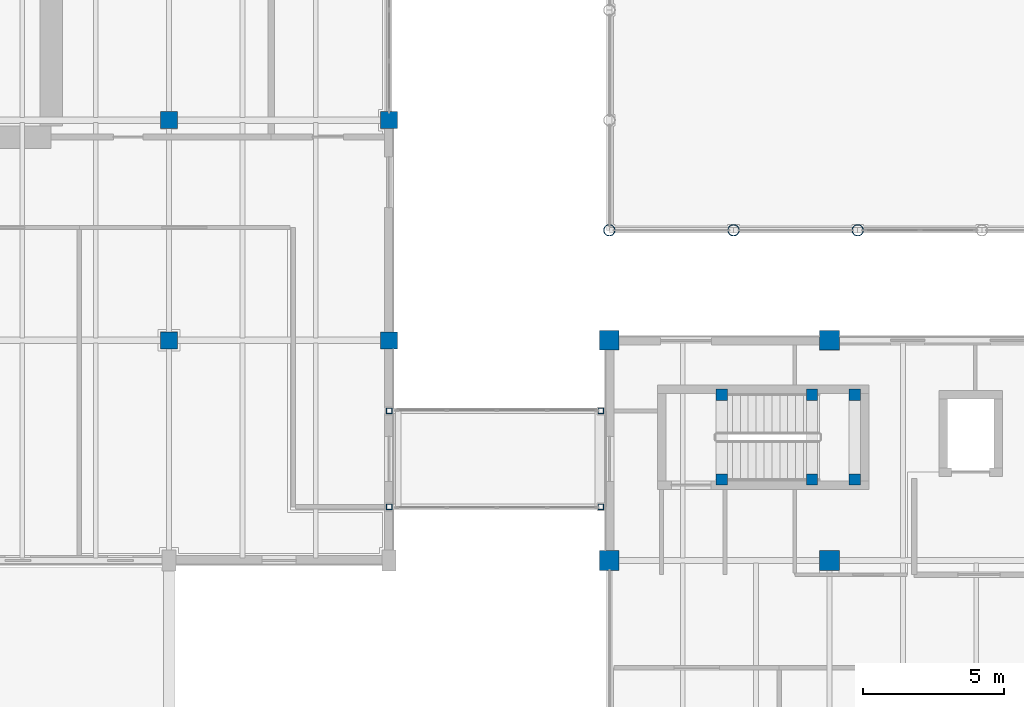
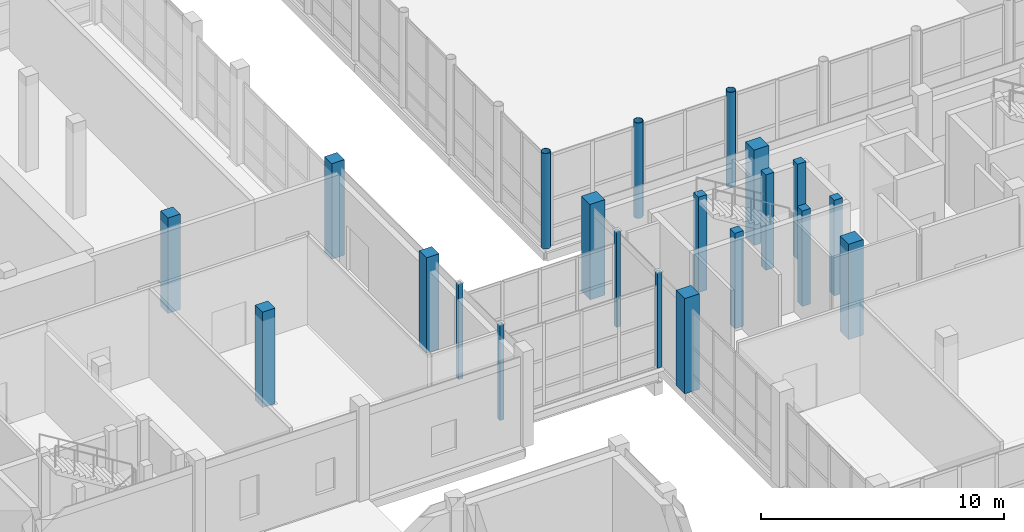
# One storey, part 6 of 131: 21 columns.
"""IFC4 building model written with IfcOpenShell, lengths in metres."""

from ifc_helpers import new_model, si_unit, direction, frame, origin, origin_2d, place, context, subcontext, project, spatial, rectangle, hollow_rectangle, hollow_circle, extrude, material, material_profile, profile_set, type_object, element, save


model = new_model("IFC4")

# Units and contexts
model_context = context("Model", 3, precision=1e-05, world=origin(), true_north=direction((0.0, 1.0)))
body_context = subcontext(model_context, "Body", "Model", "MODEL_VIEW")
ifc_project = project(units=[si_unit("LENGTHUNIT", "METRE"), si_unit("AREAUNIT", "SQUARE_METRE"), si_unit("VOLUMEUNIT", "CUBIC_METRE"), si_unit("PLANEANGLEUNIT", "RADIAN"), si_unit("MASSUNIT", "GRAM", prefix="KILO")], contexts=[model_context])

# Site, building, storey
site_placement = place(None, origin())
site = spatial("IfcSite", under=ifc_project, at=site_placement, CompositionType="ELEMENT")
building_placement = place(site_placement, origin())
building = spatial("IfcBuilding", under=site, at=building_placement, Name="Celorna Specialist Clinic", CompositionType="ELEMENT")
storey_placement = place(building_placement, origin())
storey = spatial("IfcBuildingStorey", under=building, at=storey_placement, Name="L00", CompositionType="ELEMENT", Elevation=0.0)

# Columns
ifc_material_1 = material(Name="Concrete C40/50", Category="concrete")
ifc_material_profile_1 = material_profile(ifc_material_1, rectangle(XDim=0.699951171875, YDim=0.699951171875, at=origin_2d()), Name="RC 700x700")
ifc_profile_set_1 = profile_set([ifc_material_profile_1], Name="Concrete C40/50")
column_type_1 = type_object("IfcColumnType", Name="CT-02", PredefinedType="COLUMN", material=ifc_profile_set_1)
for number, where, z_axis, x_axis, name in (
    (1, (54.60009765625, 35.10009765625, 0.0), (0.0, 0.0, 1.0), (1.0, 0.0, 0.0), "Column CT-02 L00 X08/YG"),
    (2, (54.60009765625, 42.89990234375, 0.0), (0.0, 0.0, 1.0), (1.0, 0.0, 0.0), "Column CT-02 L00 X08/YH"),
    (3, (62.39990234375, 35.10009765625, 0.0), (0.0, 0.0, 1.0), (1.0, 0.0, 0.0), "Column CT-02 L00 X09/YG"),
    (4, (62.39990234375, 42.89990234375, 0.0), (0.0, 0.0, 1.0), (1.0, 0.0, 0.0), "Column CT-02 L00 X09/YH"),
):
    element("IfcColumn", number, at=place(storey_placement, frame(where, z_axis=z_axis, x_axis=x_axis)), inside=storey, type_object=column_type_1, Name=name, PredefinedType="COLUMN", context=body_context, shape_type="SweptSolid", body=[
        extrude(rectangle(XDim=0.699951171875, YDim=0.699951171875, at=origin_2d()), origin(), (0.0, 0.0, 1.0), 4.800048828125),
    ])
ifc_material_profile_2 = material_profile(ifc_material_1, rectangle(XDim=0.60009765625, YDim=0.60009765625, at=origin_2d()), Name="RC 600x600")
ifc_profile_set_2 = profile_set([ifc_material_profile_2], Name="Concrete C40/50")
column_type_2 = type_object("IfcColumnType", Name="CT-04", PredefinedType="COLUMN", material=ifc_profile_set_2)
for number, where, z_axis, x_axis, name in (
    (5, (39.0, 42.89990234375, 0.0), (0.0, 0.0, 1.0), (1.0, 0.0, 0.0), "Column CT-04 L00 X06/YH"),
    (6, (39.0, 50.699951171875, 0.0), (0.0, 0.0, 1.0), (1.0, 0.0, 0.0), "Column CT-04 L00 X06/YK"),
    (7, (46.800048828125, 42.89990234375, 0.0), (0.0, 0.0, 1.0), (1.0, 0.0, 0.0), "Column CT-04 L00 X07/YH"),
    (8, (46.800048828125, 50.699951171875, 0.0), (0.0, 0.0, 1.0), (1.0, 0.0, 0.0), "Column CT-04 L00 X07/YK"),
):
    element("IfcColumn", number, at=place(storey_placement, frame(where, z_axis=z_axis, x_axis=x_axis)), inside=storey, type_object=column_type_2, Name=name, PredefinedType="COLUMN", context=body_context, shape_type="SweptSolid", body=[
        extrude(rectangle(XDim=0.60009765625, YDim=0.60009765625, at=origin_2d()), origin(), (0.0, 0.0, 1.0), 4.800048828125),
    ])
ifc_material_2 = material(Name="Concrete C35/45", Category="concrete")
ifc_material_profile_3 = material_profile(ifc_material_2, rectangle(XDim=0.39990234375, YDim=0.39990234375, at=origin_2d()), Name="RC 400x400")
ifc_profile_set_3 = profile_set([ifc_material_profile_3], Name="Concrete C35/45")
column_type_3 = type_object("IfcColumnType", Name="CT-08", PredefinedType="COLUMN", material=ifc_profile_set_3)
for number, where, z_axis, x_axis, name in (
    (9, (58.580078125, 37.969970703125, 0.0), (0.0, 0.0, 1.0), (1.0, 0.0, 0.0), "Stair ST-08 landing column CT-08 L00 X09/YG"),
    (10, (58.580078125, 40.969970703125, 0.0), (0.0, 0.0, 1.0), (1.0, 0.0, 0.0), "Stair ST-08 landing column CT-08 L00 X09/YH"),
    (11, (61.780029296875, 37.969970703125, 0.0), (0.0, 0.0, 1.0), (1.0, 0.0, 0.0), "Stair ST-08 landing column CT-08 L00 X09/YG"),
    (12, (61.780029296875, 40.969970703125, 0.0), (0.0, 0.0, 1.0), (1.0, 0.0, 0.0), "Stair ST-08 landing column CT-08 L00 X09/YH"),
    (13, (63.300048828125, 37.969970703125, 0.0), (0.0, 0.0, 1.0), (1.0, 0.0, 0.0), "Stair ST-08 landing column CT-08 L00 X09/YG"),
    (14, (63.300048828125, 40.969970703125, 0.0), (0.0, 0.0, 1.0), (1.0, 0.0, 0.0), "Stair ST-08 landing column CT-08 L00 X09/YH"),
):
    element("IfcColumn", number, at=place(storey_placement, frame(where, z_axis=z_axis, x_axis=x_axis)), inside=storey, type_object=column_type_3, Name=name, PredefinedType="COLUMN", context=body_context, shape_type="SweptSolid", body=[
        extrude(rectangle(XDim=0.39990234375, YDim=0.39990234375, at=origin_2d()), origin(), (0.0, 0.0, 1.0), 4.800048828125),
    ])
ifc_material_3 = material(Name="Steel S355", Category="steel")
ifc_material_profile_4 = material_profile(ifc_material_3, hollow_circle(Radius=0.203125, WallThickness=0.01611328125, at=origin_2d()), Name="CHS 406.4x16")
ifc_profile_set_4 = profile_set([ifc_material_profile_4], Name="Steel S355")
column_type_4 = type_object("IfcColumnType", Name="CT-12", PredefinedType="COLUMN", material=ifc_profile_set_4)
for number, where, z_axis, x_axis, name in (
    (15, (54.60009765625, 46.800048828125, 0.0), (0.0, 0.0, 1.0), (1.0, 0.0, 0.0), "Column CT-12 L00 X08/YJ"),
    (16, (59.0, 46.800048828125, 0.0), (0.0, 0.0, 1.0), (1.0, 0.0, 0.0), "Column CT-12 L00 X09/YJ"),
    (17, (63.39990234375, 46.800048828125, 0.0), (0.0, 0.0, 1.0), (1.0, 0.0, 0.0), "Column CT-12 L00 X09/YJ"),
):
    element("IfcColumn", number, at=place(storey_placement, frame(where, z_axis=z_axis, x_axis=x_axis)), inside=storey, type_object=column_type_4, Name=name, PredefinedType="COLUMN", context=body_context, shape_type="SweptSolid", body=[
        extrude(hollow_circle(Radius=0.203125, WallThickness=0.01611328125, at=origin_2d()), origin(), (0.0, 0.0, 1.0), 4.800048828125),
    ])
ifc_material_profile_5 = material_profile(ifc_material_3, hollow_rectangle(XDim=0.199951171875, YDim=0.199951171875, WallThickness=0.010009765625, at=origin_2d()), Name="SHS 200x200x10")
ifc_profile_set_5 = profile_set([ifc_material_profile_5], Name="Steel S355")
column_type_5 = type_object("IfcColumnType", Name="CT-15", PredefinedType="COLUMN", material=ifc_profile_set_5)
for number, where, z_axis, x_axis, name in (
    (18, (46.800048828125, 37.0, 0.0), (0.0, 0.0, 1.0), (1.0, 0.0, 0.0), "Column CT-15 L00 X07/YG"),
    (19, (54.300048828125, 37.0, 0.0), (0.0, 0.0, 1.0), (1.0, 0.0, 0.0), "Column CT-15 L00 X08/YG"),
    (20, (46.800048828125, 40.39990234375, 0.0), (0.0, 0.0, 1.0), (1.0, 0.0, 0.0), "Column CT-15 L00 X07/YH"),
    (21, (54.300048828125, 40.39990234375, 0.0), (0.0, 0.0, 1.0), (1.0, 0.0, 0.0), "Column CT-15 L00 X08/YH"),
):
    element("IfcColumn", number, at=place(storey_placement, frame(where, z_axis=z_axis, x_axis=x_axis)), inside=storey, type_object=column_type_5, Name=name, PredefinedType="COLUMN", context=body_context, shape_type="SweptSolid", body=[
        extrude(hollow_rectangle(XDim=0.199951171875, YDim=0.199951171875, WallThickness=0.010009765625, at=origin_2d()), origin(), (0.0, 0.0, 1.0), 4.800048828125),
    ])

save(model, "model.ifc")
